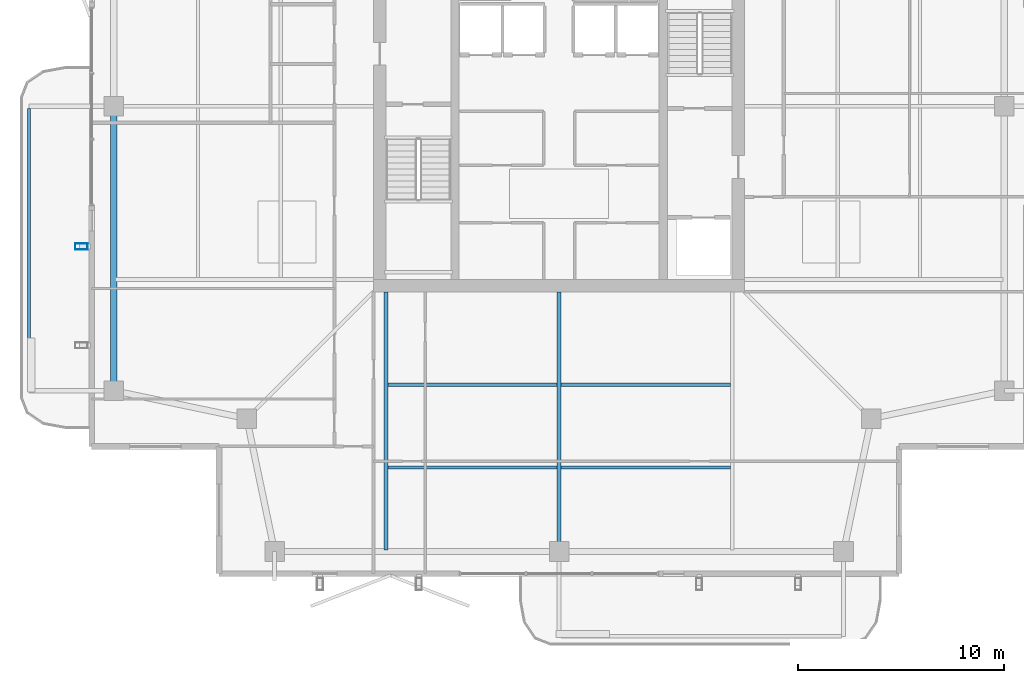
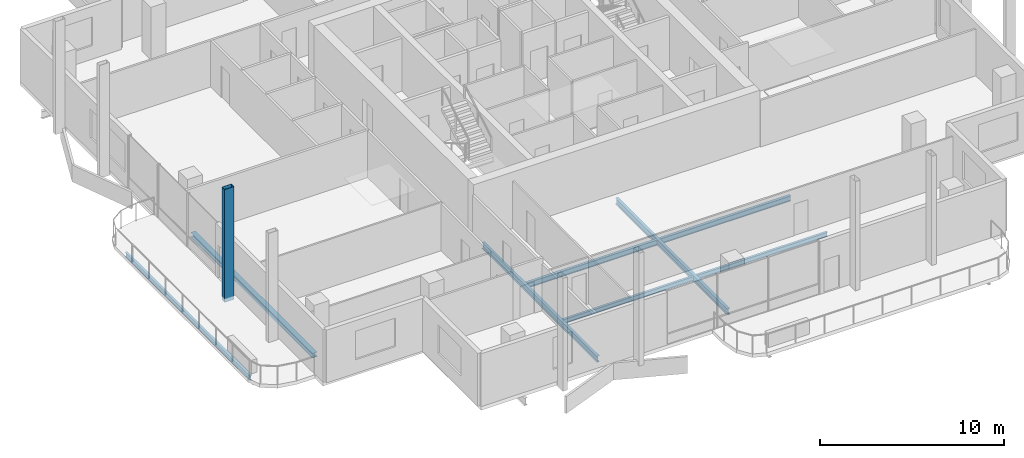
# One storey, part 5 of 20: 8 beams, 1 member.
"""IFC4 building model written with IfcOpenShell, lengths in metres."""

from ifc_helpers import new_model, si_unit, direction, frame, origin, origin_2d, place, context, subcontext, project, spatial, hollow_rectangle, i_section, extrude, material, material_profile, profile_set, type_object, element, save


model = new_model("IFC4")

# Units and contexts
model_context = context("Model", 3, precision=1e-05, world=origin(), true_north=direction((0.0, 1.0)))
body_context = subcontext(model_context, "Body", "Model", "MODEL_VIEW")
ifc_project = project(units=[si_unit("LENGTHUNIT", "METRE"), si_unit("AREAUNIT", "SQUARE_METRE"), si_unit("VOLUMEUNIT", "CUBIC_METRE"), si_unit("PLANEANGLEUNIT", "RADIAN"), si_unit("MASSUNIT", "GRAM", prefix="KILO")], contexts=[model_context])

# Site, building, storey
site_placement = place(None, origin())
site = spatial("IfcSite", under=ifc_project, at=site_placement, CompositionType="ELEMENT")
building_placement = place(site_placement, origin())
building = spatial("IfcBuilding", under=site, at=building_placement, Name="Belovzor Exchange Tower", CompositionType="ELEMENT")
storey_placement = place(building_placement, frame((0.0, 0.0, 321.75)))
storey = spatial("IfcBuildingStorey", under=building, at=storey_placement, Name="L80", CompositionType="ELEMENT", Elevation=321.75)

# Beams
ifc_material_1 = material(Name="Steel S355", Category="steel")
ifc_material_profile_1 = material_profile(ifc_material_1, i_section(OverallWidth=0.14990234375, OverallDepth=0.300048828125, WebThickness=0.007080078125, FlangeThickness=0.0107421875, at=origin_2d()))
ifc_profile_set_1 = profile_set([ifc_material_profile_1], Name="Steel S355")
beam_type_1 = type_object("IfcBeamType", Name="Planted Balcony Fascia Edge Beam IPE 300", PredefinedType="BEAM", material=ifc_profile_set_1)
beam_1_placement = place(storey_placement, frame((3.089111328125, 28.699951171875, -0.389892578125), z_axis=(0.0, -1.0, 0.0), x_axis=(1.0, 0.0, 0.0)))
element("IfcBeam", 1, at=beam_1_placement, inside=storey, type_object=beam_type_1, Name="BC-300 Planted Balcony Fascia Edge Beam IPE 300", PredefinedType="BEAM", context=body_context, shape_type="SweptSolid", body=[
    extrude(i_section(OverallWidth=0.14990234375, OverallDepth=0.300048828125, WebThickness=0.007080078125, FlangeThickness=0.0107421875, at=origin_2d()), origin(), (0.0, 0.0, 1.0), 13.599853515625),
])
ifc_material_2 = material(Name="Steel S355", Category="steel")
ifc_material_profile_2 = material_profile(ifc_material_2, i_section(OverallWidth=0.169921875, OverallDepth=0.360107421875, WebThickness=0.008056640625, FlangeThickness=0.0126953125, at=origin_2d()))
ifc_profile_set_2 = profile_set([ifc_material_profile_2], Name="Steel S355")
beam_type_2 = type_object("IfcBeamType", Name="Secondary Infill Floor Joist IPE 360", PredefinedType="BEAM", material=ifc_profile_set_2)
beam_2_placement = place(storey_placement, frame((20.489990234375, 15.291015625, -0.419921875), z_axis=(1.0, 0.0, 0.0), x_axis=(0.0, 1.0, 0.0)))
element("IfcBeam", 2, at=beam_2_placement, inside=storey, type_object=beam_type_2, Name="FJ-360 Secondary Infill Floor Joist IPE 360", PredefinedType="BEAM", context=body_context, shape_type="SweptSolid", body=[
    extrude(i_section(OverallWidth=0.169921875, OverallDepth=0.360107421875, WebThickness=0.008056640625, FlangeThickness=0.0126953125, at=origin_2d()), origin(), (0.0, 0.0, 1.0), 8.219970703125),
])
beam_3_placement = place(storey_placement, frame((28.889892578125, 15.291015625, -0.419921875), z_axis=(1.0, 0.0, 0.0), x_axis=(0.0, 1.0, 0.0)))
element("IfcBeam", 3, at=beam_3_placement, inside=storey, type_object=beam_type_2, Name="FJ-360 Secondary Infill Floor Joist IPE 360", PredefinedType="BEAM", context=body_context, shape_type="SweptSolid", body=[
    extrude(i_section(OverallWidth=0.169921875, OverallDepth=0.360107421875, WebThickness=0.008056640625, FlangeThickness=0.0126953125, at=origin_2d()), origin(), (0.0, 0.0, 1.0), 8.22021484375),
])
ifc_material_3 = material(Name="Steel S355", Category="steel")
ifc_material_profile_3 = material_profile(ifc_material_3, i_section(OverallWidth=0.14990234375, OverallDepth=0.300048828125, WebThickness=0.007080078125, FlangeThickness=0.0107421875, at=origin_2d()))
ifc_profile_set_3 = profile_set([ifc_material_profile_3], Name="Steel S355")
beam_type_3 = type_object("IfcBeamType", Name="Secondary Trim Floor Joist IPE 300", PredefinedType="BEAM", material=ifc_profile_set_3)
beam_4_placement = place(storey_placement, frame((20.489990234375, 11.282958984375, -0.389892578125), z_axis=(1.0, 0.0, 0.0), x_axis=(0.0, 1.0, 0.0)))
element("IfcBeam", 4, at=beam_4_placement, inside=storey, type_object=beam_type_3, Name="FJ-300 Secondary Trim Floor Joist IPE 300", PredefinedType="BEAM", context=body_context, shape_type="SweptSolid", body=[
    extrude(i_section(OverallWidth=0.14990234375, OverallDepth=0.300048828125, WebThickness=0.007080078125, FlangeThickness=0.0107421875, at=origin_2d()), origin(), (0.0, 0.0, 1.0), 8.219970703125),
])
beam_5_placement = place(storey_placement, frame((28.889892578125, 11.282958984375, -0.389892578125), z_axis=(1.0, 0.0, 0.0), x_axis=(0.0, 1.0, 0.0)))
element("IfcBeam", 5, at=beam_5_placement, inside=storey, type_object=beam_type_3, Name="FJ-300 Secondary Trim Floor Joist IPE 300", PredefinedType="BEAM", context=body_context, shape_type="SweptSolid", body=[
    extrude(i_section(OverallWidth=0.14990234375, OverallDepth=0.300048828125, WebThickness=0.007080078125, FlangeThickness=0.0107421875, at=origin_2d()), origin(), (0.0, 0.0, 1.0), 8.22021484375),
])

# Member
ifc_material_4 = material(Name="Extruded Architectural Terracotta on Steel S355 Carrier", Category="masonry")
ifc_material_profile_4 = material_profile(ifc_material_4, hollow_rectangle(XDim=0.300048828125, YDim=0.60009765625, WallThickness=0.01611328125, at=origin_2d()))
ifc_profile_set_4 = profile_set([ifc_material_profile_4], Name="Extruded Architectural Terracotta on Steel S355 Carrier")
member_type = type_object("IfcMemberType", Name="Upper Crown Terracotta Fin Assembly 550", PredefinedType="USERDEFINED", material=ifc_profile_set_4)
member_placement = place(storey_placement, frame((5.625, 22.0, -0.239990234375), z_axis=(0.0, 0.0, 1.0), x_axis=(0.0, 1.0, 0.0)))
element("IfcMember", 6, at=member_placement, inside=storey, type_object=member_type, Name="FIN-TC055 Terracotta Facade Fin L80 W2", ObjectType="FIN", PredefinedType="USERDEFINED", context=body_context, shape_type="SweptSolid", body=[
    extrude(hollow_rectangle(XDim=0.300048828125, YDim=0.60009765625, WallThickness=0.01611328125, at=origin_2d()), origin(), (0.0, 0.0, 1.0), 7.5),
])

# Beams
ifc_material_5 = material(Name="Steel S355", Category="steel")
ifc_material_profile_5 = material_profile(ifc_material_5, i_section(OverallWidth=0.179931640625, OverallDepth=0.39990234375, WebThickness=0.008544921875, FlangeThickness=0.013427734375, at=origin_2d()))
ifc_profile_set_5 = profile_set([ifc_material_profile_5], Name="Steel S355")
beam_type_4 = type_object("IfcBeamType", Name="Zone 5-6 Radial Composite Floor Beam IPE 400", PredefinedType="BEAM", material=ifc_profile_set_5)
beam_6_placement = place(storey_placement, frame((20.39990234375, 19.800048828125, -0.43994140625), z_axis=(0.0, -1.0, 0.0), x_axis=(1.0, 0.0, 0.0)))
element("IfcBeam", 7, at=beam_6_placement, inside=storey, type_object=beam_type_4, Name="FB-400 Zone 5-6 Radial Composite Floor Beam IPE 400", PredefinedType="BEAM", context=body_context, shape_type="SweptSolid", body=[
    extrude(i_section(OverallWidth=0.179931640625, OverallDepth=0.39990234375, WebThickness=0.008544921875, FlangeThickness=0.013427734375, at=origin_2d()), origin(), (0.0, 0.0, 1.0), 12.525146484375),
])
beam_7_placement = place(storey_placement, frame((28.800048828125, 19.800048828125, -0.43994140625), z_axis=(0.0, -1.0, 0.0), x_axis=(1.0, 0.0, 0.0)))
element("IfcBeam", 8, at=beam_7_placement, inside=storey, type_object=beam_type_4, Name="FB-400 Zone 5-6 Radial Composite Floor Beam IPE 400", PredefinedType="BEAM", context=body_context, shape_type="SweptSolid", body=[
    extrude(i_section(OverallWidth=0.179931640625, OverallDepth=0.39990234375, WebThickness=0.008544921875, FlangeThickness=0.013427734375, at=origin_2d()), origin(), (0.0, 0.0, 1.0), 12.18212890625),
])
ifc_material_6 = material(Name="Steel S355", Category="steel")
ifc_material_profile_6 = material_profile(ifc_material_6, i_section(OverallWidth=0.300048828125, OverallDepth=0.300048828125, WebThickness=0.008544921875, FlangeThickness=0.013916015625, at=origin_2d()))
ifc_profile_set_6 = profile_set([ifc_material_profile_6], Name="Steel S355")
beam_type_5 = type_object("IfcBeamType", Name="Zone 6 Primary Girder HEA 300", PredefinedType="BEAM", material=ifc_profile_set_6)
beam_8_placement = place(storey_placement, frame((7.199951171875, 28.5390625, -0.389892578125), z_axis=(0.0, -1.0, 0.0), x_axis=(1.0, 0.0, 0.0)))
element("IfcBeam", 9, at=beam_8_placement, inside=storey, type_object=beam_type_5, Name="FG-Z6 Zone 6 Primary Girder HEA 300", PredefinedType="BEAM", context=body_context, shape_type="SweptSolid", body=[
    extrude(i_section(OverallWidth=0.300048828125, OverallDepth=0.300048828125, WebThickness=0.008544921875, FlangeThickness=0.013916015625, at=origin_2d()), origin(), (0.0, 0.0, 1.0), 13.278076171875),
])

save(model, "model.ifc")
